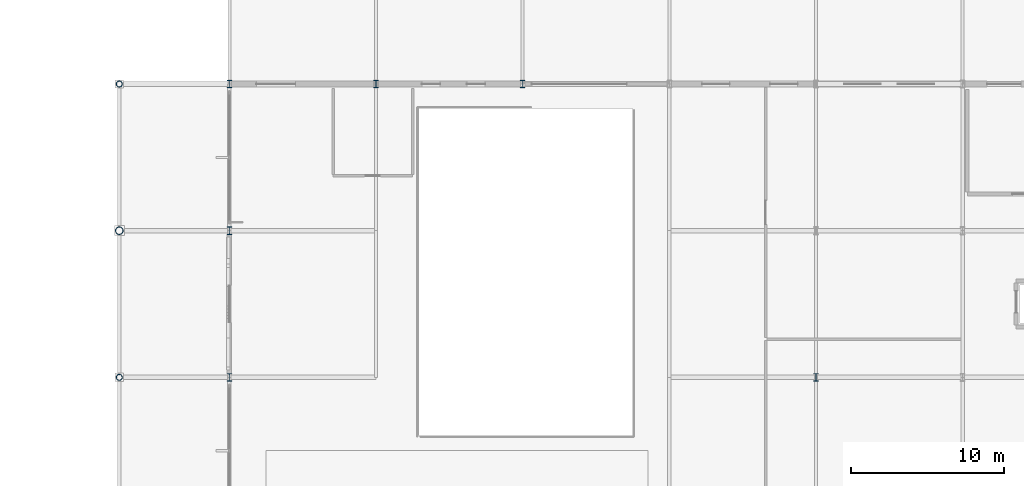
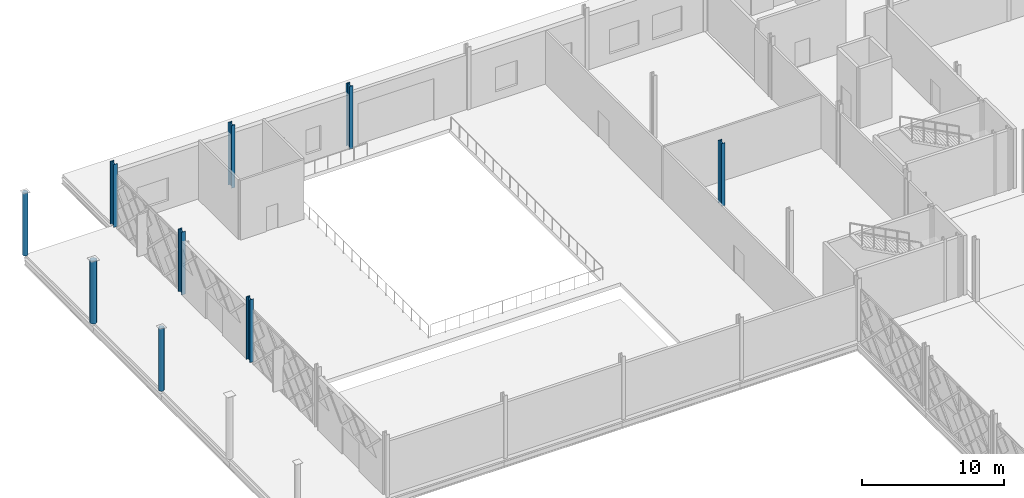
# One storey, part 13 of 84: 9 columns.
"""IFC4 building model written with IfcOpenShell, lengths in metres."""

from ifc_helpers import new_model, si_unit, direction, frame, origin, origin_2d, place, context, subcontext, project, spatial, hollow_circle, i_section, extrude, material, material_profile, profile_set, type_object, element, save


model = new_model("IFC4")

# Units and contexts
model_context = context("Model", 3, precision=1e-05, world=origin(), true_north=direction((0.0, 1.0)))
body_context = subcontext(model_context, "Body", "Model", "MODEL_VIEW")
ifc_project = project(units=[si_unit("LENGTHUNIT", "METRE"), si_unit("AREAUNIT", "SQUARE_METRE"), si_unit("VOLUMEUNIT", "CUBIC_METRE"), si_unit("PLANEANGLEUNIT", "RADIAN"), si_unit("MASSUNIT", "GRAM", prefix="KILO")], contexts=[model_context])

# Site, building, storey
site_placement = place(None, origin())
site = spatial("IfcSite", under=ifc_project, at=site_placement, CompositionType="ELEMENT")
building_placement = place(site_placement, origin())
building = spatial("IfcBuilding", under=site, at=building_placement, Name="Zevrakil Square Congress Hotel", CompositionType="ELEMENT")
storey_placement = place(building_placement, origin())
storey = spatial("IfcBuildingStorey", under=building, at=storey_placement, Name="L01", CompositionType="ELEMENT", Elevation=0.0)

# Columns
ifc_material_1 = material(Name="Steel S355", Category="steel")
ifc_material_profile_1 = material_profile(ifc_material_1, hollow_circle(Radius=0.203125, WallThickness=0.02001953125, at=origin_2d()), Name="CHS 406.4x20")
ifc_profile_set_1 = profile_set([ifc_material_profile_1], Name="Steel S355")
column_type_1 = type_object("IfcColumnType", Name="COL-CHS406", PredefinedType="COLUMN", material=ifc_profile_set_1)
for number, where, z_axis, x_axis, name in (
    (1, (0.0, 93.60009765625, 0.0), (0.0, 0.0, 1.0), (1.0, 0.0, 0.0), "L01 column C-011"),
    (2, (0.0, 112.800048828125, 0.0), (0.0, 0.0, 1.0), (1.0, 0.0, 0.0), "L01 column C-013"),
):
    element("IfcColumn", number, at=place(storey_placement, frame(where, z_axis=z_axis, x_axis=x_axis)), inside=storey, type_object=column_type_1, Name=name, PredefinedType="COLUMN", context=body_context, shape_type="SweptSolid", body=[
        extrude(hollow_circle(Radius=0.203125, WallThickness=0.02001953125, at=origin_2d()), origin(), (0.0, 0.0, 1.0), 5.39990234375),
    ])
ifc_material_2 = material(Name="Steel S355", Category="steel")
ifc_material_profile_2 = material_profile(ifc_material_2, hollow_circle(Radius=0.25390625, WallThickness=0.02001953125, at=origin_2d()), Name="CHS 508x20")
ifc_profile_set_2 = profile_set([ifc_material_profile_2], Name="Steel S355")
column_type_2 = type_object("IfcColumnType", Name="COL-CHS508", PredefinedType="COLUMN", material=ifc_profile_set_2)
column_placement = place(storey_placement, frame((0.0, 103.199951171875, 0.0), z_axis=(0.0, 0.0, 1.0), x_axis=(1.0, 0.0, 0.0)))
element("IfcColumn", 3, at=column_placement, inside=storey, type_object=column_type_2, Name="L01 column C-012", PredefinedType="COLUMN", context=body_context, shape_type="SweptSolid", body=[
    extrude(hollow_circle(Radius=0.25390625, WallThickness=0.02001953125, at=origin_2d()), origin(), (0.0, 0.0, 1.0), 5.39990234375),
])
ifc_material_3 = material(Name="Steel S355", Category="steel")
ifc_material_profile_3 = material_profile(ifc_material_3, i_section(OverallWidth=0.300048828125, OverallDepth=0.5, WebThickness=0.014404296875, FlangeThickness=0.028076171875, FilletRadius=0.027099609375, at=origin_2d()), Name="HEB 500")
ifc_profile_set_3 = profile_set([ifc_material_profile_3], Name="Steel S355")
column_type_3 = type_object("IfcColumnType", Name="COL-HEB500", PredefinedType="COLUMN", material=ifc_profile_set_3)
for number, where, z_axis, x_axis, name in (
    (4, (7.199951171875, 93.60009765625, 0.0), (0.0, 0.0, 1.0), (1.0, 0.0, 0.0), "L01 column C-022"),
    (5, (7.199951171875, 103.199951171875, 0.0), (0.0, 0.0, 1.0), (1.0, 0.0, 0.0), "L01 column C-023"),
    (6, (7.199951171875, 112.800048828125, 0.0), (0.0, 0.0, 1.0), (1.0, 0.0, 0.0), "L01 column C-024"),
    (7, (16.800048828125, 112.800048828125, 0.0), (0.0, 0.0, 1.0), (1.0, 0.0, 0.0), "L01 column C-038"),
    (8, (26.39990234375, 112.800048828125, 0.0), (0.0, 0.0, 1.0), (1.0, 0.0, 0.0), "L01 column C-051"),
    (9, (45.60009765625, 93.60009765625, 0.0), (0.0, 0.0, 1.0), (1.0, 0.0, 0.0), "L01 column C-077"),
):
    element("IfcColumn", number, at=place(storey_placement, frame(where, z_axis=z_axis, x_axis=x_axis)), inside=storey, type_object=column_type_3, Name=name, PredefinedType="COLUMN", context=body_context, shape_type="SweptSolid", body=[
        extrude(i_section(OverallWidth=0.300048828125, OverallDepth=0.5, WebThickness=0.014404296875, FlangeThickness=0.028076171875, FilletRadius=0.027099609375, at=origin_2d()), origin(), (0.0, 0.0, 1.0), 5.39990234375),
    ])

save(model, "model.ifc")
